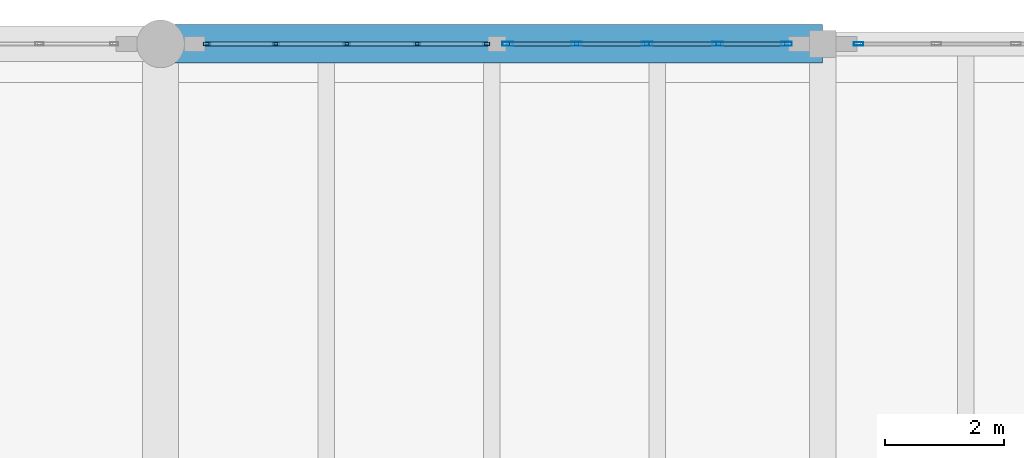
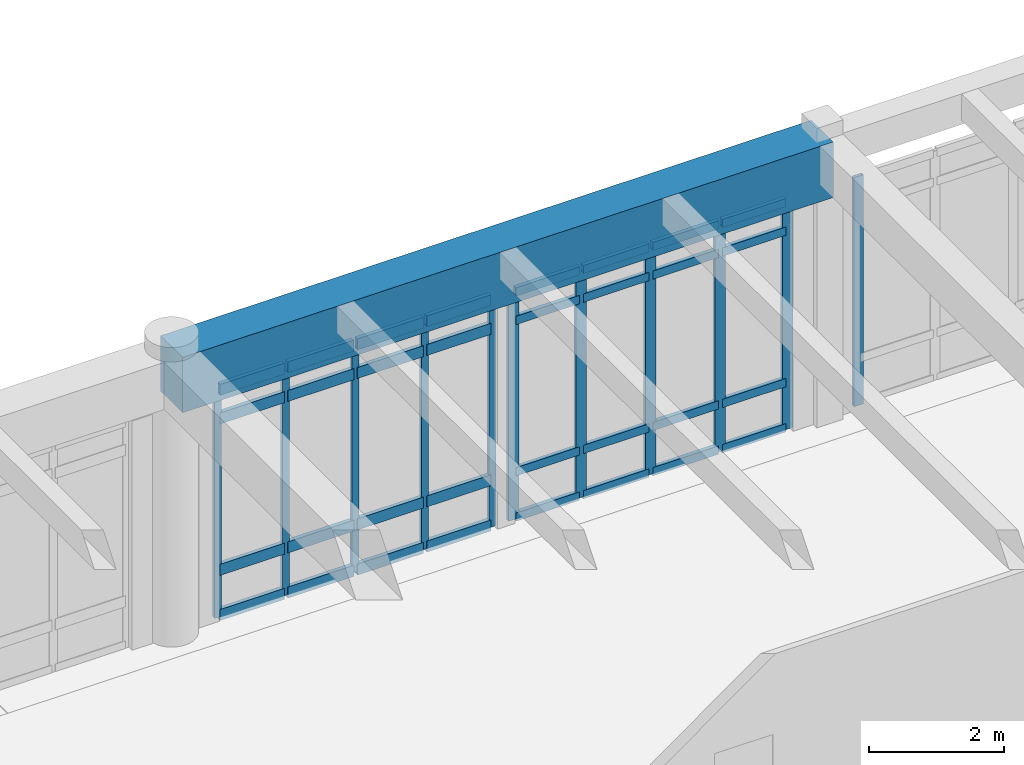
# One storey, part 63 of 138: 43 members, 1 beam, 3 elements without a shape of their own.
"""IFC4 building model written with IfcOpenShell, lengths in metres."""

from ifc_helpers import new_model, si_unit, direction, frame, origin, origin_2d, place, context, subcontext, project, spatial, rectangle, hollow_rectangle, extrude, material, layer, layer_set, material_profile, profile_set, type_object, element, aggregate, save


model = new_model("IFC4")

# Units and contexts
model_context = context("Model", 3, precision=1e-05, world=origin(), true_north=direction((0.0, 1.0)))
body_context = subcontext(model_context, "Body", "Model", "MODEL_VIEW")
ifc_project = project(units=[si_unit("LENGTHUNIT", "METRE"), si_unit("AREAUNIT", "SQUARE_METRE"), si_unit("VOLUMEUNIT", "CUBIC_METRE"), si_unit("PLANEANGLEUNIT", "RADIAN"), si_unit("MASSUNIT", "GRAM", prefix="KILO")], contexts=[model_context])

# Site, building, storey
site_placement = place(None, origin())
site = spatial("IfcSite", under=ifc_project, at=site_placement, CompositionType="ELEMENT")
building_placement = place(site_placement, origin())
building = spatial("IfcBuilding", under=site, at=building_placement, Name="Fikremerkos Civic Library", CompositionType="ELEMENT")
storey_placement = place(building_placement, origin())
storey = spatial("IfcBuildingStorey", under=building, at=storey_placement, Name="L00", CompositionType="ELEMENT", Elevation=0.0)

# Curtain wall, members
ifc_material_1 = material(Name="Anodized aluminium Frame", Category="aluminium")
ifc_layer_1 = layer(ifc_material_1, 0.159912109375, Name="Anodized aluminium Frame")
ifc_layer_set_1 = layer_set([ifc_layer_1], Name="Anodized aluminium Frame")
curtain_wall_type_1 = type_object("IfcCurtainWallType", Name="Unitised curtain wall CW-17 4600x3600", PredefinedType="USERDEFINED", material=ifc_layer_set_1)
curtain_wall_1_placement = place(storey_placement, origin())
curtain_wall_1 = element("IfcCurtainWall", 1, at=curtain_wall_1_placement, inside=storey, type_object=curtain_wall_type_1, Name="Unitised curtain wall CW-17 L00 #53", ObjectType="UNITISED CURTAIN WALL", PredefinedType="USERDEFINED")
ifc_material_profile_1 = material_profile(ifc_material_1, hollow_rectangle(XDim=0.06494140625, YDim=0.179931640625, WallThickness=0.00439453125, at=origin_2d()), Name="ALU 180x65x4.5")
ifc_profile_set_1 = profile_set([ifc_material_profile_1], Name="Anodized aluminium Frame")
member_type_1 = type_object("IfcMemberType", Name="Curtain mullion CWM-01 ALU 180x65x4.5", PredefinedType="MULLION", material=ifc_profile_set_1)
member_1_placement = place(storey_placement, frame((119.52001953125, 117.60009765625, 0.0), z_axis=(0.0, 0.0, 1.0), x_axis=(0.0, 1.0, 0.0)))
member_1 = element("IfcMember", 2, at=member_1_placement, type_object=member_type_1, Name="CW-17 mullion 1", PredefinedType="MULLION", context=body_context, shape_type="SweptSolid", body=[
    extrude(hollow_rectangle(XDim=0.06494140625, YDim=0.179931640625, WallThickness=0.00439453125, at=origin_2d()), origin(), (0.0, 0.0, 1.0), 4.1298828125),
])
member_2_placement = place(storey_placement, frame((120.67236328125, 117.60009765625, 0.0), z_axis=(0.0, 0.0, 1.0), x_axis=(0.0, 1.0, 0.0)))
member_2 = element("IfcMember", 3, at=member_2_placement, type_object=member_type_1, Name="CW-17 mullion 2", PredefinedType="MULLION", context=body_context, shape_type="SweptSolid", body=[
    extrude(hollow_rectangle(XDim=0.06494140625, YDim=0.179931640625, WallThickness=0.00439453125, at=origin_2d()), origin(), (0.0, 0.0, 1.0), 4.1298828125),
])
member_3_placement = place(storey_placement, frame((121.857177734375, 117.60009765625, 0.0), z_axis=(0.0, 0.0, 1.0), x_axis=(0.0, 1.0, 0.0)))
member_3 = element("IfcMember", 4, at=member_3_placement, type_object=member_type_1, Name="CW-17 mullion 3", PredefinedType="MULLION", context=body_context, shape_type="SweptSolid", body=[
    extrude(hollow_rectangle(XDim=0.06494140625, YDim=0.179931640625, WallThickness=0.00439453125, at=origin_2d()), origin(), (0.0, 0.0, 1.0), 4.1298828125),
])
member_4_placement = place(storey_placement, frame((123.042236328125, 117.60009765625, 0.0), z_axis=(0.0, 0.0, 1.0), x_axis=(0.0, 1.0, 0.0)))
member_4 = element("IfcMember", 5, at=member_4_placement, type_object=member_type_1, Name="CW-17 mullion 4", PredefinedType="MULLION", context=body_context, shape_type="SweptSolid", body=[
    extrude(hollow_rectangle(XDim=0.06494140625, YDim=0.179931640625, WallThickness=0.00439453125, at=origin_2d()), origin(), (0.0, 0.0, 1.0), 4.1298828125),
])
member_5_placement = place(storey_placement, frame((124.194580078125, 117.60009765625, 0.0), z_axis=(0.0, 0.0, 1.0), x_axis=(0.0, 1.0, 0.0)))
member_5 = element("IfcMember", 6, at=member_5_placement, type_object=member_type_1, Name="CW-17 mullion 5", PredefinedType="MULLION", context=body_context, shape_type="SweptSolid", body=[
    extrude(hollow_rectangle(XDim=0.06494140625, YDim=0.179931640625, WallThickness=0.00439453125, at=origin_2d()), origin(), (0.0, 0.0, 1.0), 4.1298828125),
])

# Curtain wall, member
ifc_layer_2 = layer(ifc_material_1, 0.159912109375, Name="Anodized aluminium Frame")
ifc_layer_set_2 = layer_set([ifc_layer_2], Name="Anodized aluminium Frame")
curtain_wall_type_2 = type_object("IfcCurtainWallType", Name="Unitised curtain wall CW-18 2700x3400", PredefinedType="USERDEFINED", material=ifc_layer_set_2)
curtain_wall_2_placement = place(storey_placement, origin())
curtain_wall_2 = element("IfcCurtainWall", 7, at=curtain_wall_2_placement, inside=storey, type_object=curtain_wall_type_2, Name="Unitised curtain wall CW-18 L00 #54", ObjectType="UNITISED CURTAIN WALL", PredefinedType="USERDEFINED")
ifc_material_profile_2 = material_profile(ifc_material_1, hollow_rectangle(XDim=0.06005859375, YDim=0.159912109375, WallThickness=0.00390625, at=origin_2d()), Name="ALU 160x60x4")
ifc_profile_set_2 = profile_set([ifc_material_profile_2], Name="Anodized aluminium Frame")
member_type_2 = type_object("IfcMemberType", Name="Curtain mullion CWM-02 ALU 160x60x4", PredefinedType="MULLION", material=ifc_profile_set_2)
member_6_placement = place(storey_placement, frame((125.403076171875, 117.60009765625, 0.0), z_axis=(0.0, 0.0, 1.0), x_axis=(0.0, 1.0, 0.0)))
member_6 = element("IfcMember", 8, at=member_6_placement, type_object=member_type_2, Name="CW-18 mullion 1", PredefinedType="MULLION", context=body_context, shape_type="SweptSolid", body=[
    extrude(hollow_rectangle(XDim=0.06005859375, YDim=0.159912109375, WallThickness=0.00390625, at=origin_2d()), origin(), (0.0, 0.0, 1.0), 4.1298828125),
])
aggregate(curtain_wall_2, [member_6])

# Curtain wall, members
ifc_layer_3 = layer(ifc_material_1, 0.159912109375, Name="Anodized aluminium Frame")
ifc_layer_set_3 = layer_set([ifc_layer_3], Name="Anodized aluminium Frame")
curtain_wall_type_3 = type_object("IfcCurtainWallType", Name="Unitised curtain wall CW-16 3100x4100", PredefinedType="USERDEFINED", material=ifc_layer_set_3)
curtain_wall_3_placement = place(storey_placement, origin())
curtain_wall_3 = element("IfcCurtainWall", 9, at=curtain_wall_3_placement, inside=storey, type_object=curtain_wall_type_3, Name="Unitised curtain wall CW-16 L00 #52", ObjectType="UNITISED CURTAIN WALL", PredefinedType="USERDEFINED")
ifc_material_profile_3 = material_profile(ifc_material_1, hollow_rectangle(XDim=0.06005859375, YDim=0.1201171875, WallThickness=0.00390625, at=origin_2d()), Name="ALU 120x60x4")
ifc_profile_set_3 = profile_set([ifc_material_profile_3], Name="Anodized aluminium Frame")
member_type_3 = type_object("IfcMemberType", Name="Curtain mullion CWM-04 ALU 120x60x4", PredefinedType="MULLION", material=ifc_profile_set_3)
member_7_placement = place(storey_placement, frame((114.47802734375, 117.60009765625, 0.0), z_axis=(0.0, 0.0, 1.0), x_axis=(0.0, 1.0, 0.0)))
member_7 = element("IfcMember", 10, at=member_7_placement, type_object=member_type_3, Name="CW-16 mullion 1", PredefinedType="MULLION", context=body_context, shape_type="SweptSolid", body=[
    extrude(hollow_rectangle(XDim=0.06005859375, YDim=0.1201171875, WallThickness=0.00390625, at=origin_2d()), origin(), (0.0, 0.0, 1.0), 4.1298828125),
])
member_8_placement = place(storey_placement, frame((115.6328125, 117.60009765625, 0.0), z_axis=(0.0, 0.0, 1.0), x_axis=(0.0, 1.0, 0.0)))
member_8 = element("IfcMember", 11, at=member_8_placement, type_object=member_type_3, Name="CW-16 mullion 2", PredefinedType="MULLION", context=body_context, shape_type="SweptSolid", body=[
    extrude(hollow_rectangle(XDim=0.06005859375, YDim=0.1201171875, WallThickness=0.00390625, at=origin_2d()), origin(), (0.0, 0.0, 1.0), 4.1298828125),
])
member_9_placement = place(storey_placement, frame((116.81787109375, 117.60009765625, 0.0), z_axis=(0.0, 0.0, 1.0), x_axis=(0.0, 1.0, 0.0)))
member_9 = element("IfcMember", 12, at=member_9_placement, type_object=member_type_3, Name="CW-16 mullion 3", PredefinedType="MULLION", context=body_context, shape_type="SweptSolid", body=[
    extrude(hollow_rectangle(XDim=0.06005859375, YDim=0.1201171875, WallThickness=0.00390625, at=origin_2d()), origin(), (0.0, 0.0, 1.0), 4.1298828125),
])
member_10_placement = place(storey_placement, frame((118.002685546875, 117.60009765625, 0.0), z_axis=(0.0, 0.0, 1.0), x_axis=(0.0, 1.0, 0.0)))
member_10 = element("IfcMember", 13, at=member_10_placement, type_object=member_type_3, Name="CW-16 mullion 4", PredefinedType="MULLION", context=body_context, shape_type="SweptSolid", body=[
    extrude(hollow_rectangle(XDim=0.06005859375, YDim=0.1201171875, WallThickness=0.00390625, at=origin_2d()), origin(), (0.0, 0.0, 1.0), 4.1298828125),
])
member_11_placement = place(storey_placement, frame((119.157470703125, 117.60009765625, 0.0), z_axis=(0.0, 0.0, 1.0), x_axis=(0.0, 1.0, 0.0)))
member_11 = element("IfcMember", 14, at=member_11_placement, type_object=member_type_3, Name="CW-16 mullion 5", PredefinedType="MULLION", context=body_context, shape_type="SweptSolid", body=[
    extrude(hollow_rectangle(XDim=0.06005859375, YDim=0.1201171875, WallThickness=0.00390625, at=origin_2d()), origin(), (0.0, 0.0, 1.0), 4.1298828125),
])

# Member
ifc_material_profile_4 = material_profile(ifc_material_1, hollow_rectangle(XDim=0.070068359375, YDim=0.14990234375, WallThickness=0.00439453125, at=origin_2d()), Name="ALU 150x70x4.5")
ifc_profile_set_4 = profile_set([ifc_material_profile_4], Name="Anodized aluminium Frame")
member_type_4 = type_object("IfcMemberType", Name="Curtain transom CWT-01 ALU 150x70x4.5", PredefinedType="USERDEFINED", material=ifc_profile_set_4)
member_12_placement = place(storey_placement, frame((119.552490234375, 117.60009765625, 0.034912109375), z_axis=(1.0, 0.0, 0.0), x_axis=(0.0, 1.0, 0.0)))
member_12 = element("IfcMember", 15, at=member_12_placement, type_object=member_type_4, Name="CW-17 transom 1.1", ObjectType="TRANSOM", PredefinedType="USERDEFINED", context=body_context, shape_type="SweptSolid", body=[
    extrude(hollow_rectangle(XDim=0.070068359375, YDim=0.14990234375, WallThickness=0.00439453125, at=origin_2d()), origin(), (0.0, 0.0, 1.0), 1.08740234375),
])

member_13_placement = place(storey_placement, frame((119.552490234375, 117.60009765625, 0.85009765625), z_axis=(1.0, 0.0, 0.0), x_axis=(0.0, 1.0, 0.0)))
member_13 = element("IfcMember", 16, at=member_13_placement, type_object=member_type_4, Name="CW-17 transom 1.2", ObjectType="TRANSOM", PredefinedType="USERDEFINED", context=body_context, shape_type="SweptSolid", body=[
    extrude(hollow_rectangle(XDim=0.070068359375, YDim=0.14990234375, WallThickness=0.00439453125, at=origin_2d()), origin(), (0.0, 0.0, 1.0), 1.08740234375),
])

member_14_placement = place(storey_placement, frame((119.552490234375, 117.60009765625, 3.580078125), z_axis=(1.0, 0.0, 0.0), x_axis=(0.0, 1.0, 0.0)))
member_14 = element("IfcMember", 17, at=member_14_placement, type_object=member_type_4, Name="CW-17 transom 1.3", ObjectType="TRANSOM", PredefinedType="USERDEFINED", context=body_context, shape_type="SweptSolid", body=[
    extrude(hollow_rectangle(XDim=0.070068359375, YDim=0.14990234375, WallThickness=0.00439453125, at=origin_2d()), origin(), (0.0, 0.0, 1.0), 1.08740234375),
])

member_15_placement = place(storey_placement, frame((119.552490234375, 117.60009765625, 4.094970703125), z_axis=(1.0, 0.0, 0.0), x_axis=(0.0, 1.0, 0.0)))
member_15 = element("IfcMember", 18, at=member_15_placement, type_object=member_type_4, Name="CW-17 transom 1.4", ObjectType="TRANSOM", PredefinedType="USERDEFINED", context=body_context, shape_type="SweptSolid", body=[
    extrude(hollow_rectangle(XDim=0.070068359375, YDim=0.14990234375, WallThickness=0.00439453125, at=origin_2d()), origin(), (0.0, 0.0, 1.0), 1.08740234375),
])

member_16_placement = place(storey_placement, frame((120.704833984375, 117.60009765625, 0.034912109375), z_axis=(1.0, 0.0, 0.0), x_axis=(0.0, 1.0, 0.0)))
member_16 = element("IfcMember", 19, at=member_16_placement, type_object=member_type_4, Name="CW-17 transom 2.1", ObjectType="TRANSOM", PredefinedType="USERDEFINED", context=body_context, shape_type="SweptSolid", body=[
    extrude(hollow_rectangle(XDim=0.070068359375, YDim=0.14990234375, WallThickness=0.00439453125, at=origin_2d()), origin(), (0.0, 0.0, 1.0), 1.119873046875),
])

member_17_placement = place(storey_placement, frame((120.704833984375, 117.60009765625, 0.85009765625), z_axis=(1.0, 0.0, 0.0), x_axis=(0.0, 1.0, 0.0)))
member_17 = element("IfcMember", 20, at=member_17_placement, type_object=member_type_4, Name="CW-17 transom 2.2", ObjectType="TRANSOM", PredefinedType="USERDEFINED", context=body_context, shape_type="SweptSolid", body=[
    extrude(hollow_rectangle(XDim=0.070068359375, YDim=0.14990234375, WallThickness=0.00439453125, at=origin_2d()), origin(), (0.0, 0.0, 1.0), 1.119873046875),
])

member_18_placement = place(storey_placement, frame((120.704833984375, 117.60009765625, 3.580078125), z_axis=(1.0, 0.0, 0.0), x_axis=(0.0, 1.0, 0.0)))
member_18 = element("IfcMember", 21, at=member_18_placement, type_object=member_type_4, Name="CW-17 transom 2.3", ObjectType="TRANSOM", PredefinedType="USERDEFINED", context=body_context, shape_type="SweptSolid", body=[
    extrude(hollow_rectangle(XDim=0.070068359375, YDim=0.14990234375, WallThickness=0.00439453125, at=origin_2d()), origin(), (0.0, 0.0, 1.0), 1.119873046875),
])

member_19_placement = place(storey_placement, frame((120.704833984375, 117.60009765625, 4.094970703125), z_axis=(1.0, 0.0, 0.0), x_axis=(0.0, 1.0, 0.0)))
member_19 = element("IfcMember", 22, at=member_19_placement, type_object=member_type_4, Name="CW-17 transom 2.4", ObjectType="TRANSOM", PredefinedType="USERDEFINED", context=body_context, shape_type="SweptSolid", body=[
    extrude(hollow_rectangle(XDim=0.070068359375, YDim=0.14990234375, WallThickness=0.00439453125, at=origin_2d()), origin(), (0.0, 0.0, 1.0), 1.119873046875),
])

member_20_placement = place(storey_placement, frame((121.8896484375, 117.60009765625, 0.034912109375), z_axis=(1.0, 0.0, 0.0), x_axis=(0.0, 1.0, 0.0)))
member_20 = element("IfcMember", 23, at=member_20_placement, type_object=member_type_4, Name="CW-17 transom 3.1", ObjectType="TRANSOM", PredefinedType="USERDEFINED", context=body_context, shape_type="SweptSolid", body=[
    extrude(hollow_rectangle(XDim=0.070068359375, YDim=0.14990234375, WallThickness=0.00439453125, at=origin_2d()), origin(), (0.0, 0.0, 1.0), 1.119873046875),
])

member_21_placement = place(storey_placement, frame((121.8896484375, 117.60009765625, 0.85009765625), z_axis=(1.0, 0.0, 0.0), x_axis=(0.0, 1.0, 0.0)))
member_21 = element("IfcMember", 24, at=member_21_placement, type_object=member_type_4, Name="CW-17 transom 3.2", ObjectType="TRANSOM", PredefinedType="USERDEFINED", context=body_context, shape_type="SweptSolid", body=[
    extrude(hollow_rectangle(XDim=0.070068359375, YDim=0.14990234375, WallThickness=0.00439453125, at=origin_2d()), origin(), (0.0, 0.0, 1.0), 1.119873046875),
])

member_22_placement = place(storey_placement, frame((121.8896484375, 117.60009765625, 3.580078125), z_axis=(1.0, 0.0, 0.0), x_axis=(0.0, 1.0, 0.0)))
member_22 = element("IfcMember", 25, at=member_22_placement, type_object=member_type_4, Name="CW-17 transom 3.3", ObjectType="TRANSOM", PredefinedType="USERDEFINED", context=body_context, shape_type="SweptSolid", body=[
    extrude(hollow_rectangle(XDim=0.070068359375, YDim=0.14990234375, WallThickness=0.00439453125, at=origin_2d()), origin(), (0.0, 0.0, 1.0), 1.119873046875),
])

member_23_placement = place(storey_placement, frame((121.8896484375, 117.60009765625, 4.094970703125), z_axis=(1.0, 0.0, 0.0), x_axis=(0.0, 1.0, 0.0)))
member_23 = element("IfcMember", 26, at=member_23_placement, type_object=member_type_4, Name="CW-17 transom 3.4", ObjectType="TRANSOM", PredefinedType="USERDEFINED", context=body_context, shape_type="SweptSolid", body=[
    extrude(hollow_rectangle(XDim=0.070068359375, YDim=0.14990234375, WallThickness=0.00439453125, at=origin_2d()), origin(), (0.0, 0.0, 1.0), 1.119873046875),
])

member_24_placement = place(storey_placement, frame((123.07470703125, 117.60009765625, 0.034912109375), z_axis=(1.0, 0.0, 0.0), x_axis=(0.0, 1.0, 0.0)))
member_24 = element("IfcMember", 27, at=member_24_placement, type_object=member_type_4, Name="CW-17 transom 4.1", ObjectType="TRANSOM", PredefinedType="USERDEFINED", context=body_context, shape_type="SweptSolid", body=[
    extrude(hollow_rectangle(XDim=0.070068359375, YDim=0.14990234375, WallThickness=0.00439453125, at=origin_2d()), origin(), (0.0, 0.0, 1.0), 1.08740234375),
])

member_25_placement = place(storey_placement, frame((123.07470703125, 117.60009765625, 0.85009765625), z_axis=(1.0, 0.0, 0.0), x_axis=(0.0, 1.0, 0.0)))
member_25 = element("IfcMember", 28, at=member_25_placement, type_object=member_type_4, Name="CW-17 transom 4.2", ObjectType="TRANSOM", PredefinedType="USERDEFINED", context=body_context, shape_type="SweptSolid", body=[
    extrude(hollow_rectangle(XDim=0.070068359375, YDim=0.14990234375, WallThickness=0.00439453125, at=origin_2d()), origin(), (0.0, 0.0, 1.0), 1.08740234375),
])

member_26_placement = place(storey_placement, frame((123.07470703125, 117.60009765625, 3.580078125), z_axis=(1.0, 0.0, 0.0), x_axis=(0.0, 1.0, 0.0)))
member_26 = element("IfcMember", 29, at=member_26_placement, type_object=member_type_4, Name="CW-17 transom 4.3", ObjectType="TRANSOM", PredefinedType="USERDEFINED", context=body_context, shape_type="SweptSolid", body=[
    extrude(hollow_rectangle(XDim=0.070068359375, YDim=0.14990234375, WallThickness=0.00439453125, at=origin_2d()), origin(), (0.0, 0.0, 1.0), 1.08740234375),
])

member_27_placement = place(storey_placement, frame((123.07470703125, 117.60009765625, 4.094970703125), z_axis=(1.0, 0.0, 0.0), x_axis=(0.0, 1.0, 0.0)))
member_27 = element("IfcMember", 30, at=member_27_placement, type_object=member_type_4, Name="CW-17 transom 4.4", ObjectType="TRANSOM", PredefinedType="USERDEFINED", context=body_context, shape_type="SweptSolid", body=[
    extrude(hollow_rectangle(XDim=0.070068359375, YDim=0.14990234375, WallThickness=0.00439453125, at=origin_2d()), origin(), (0.0, 0.0, 1.0), 1.08740234375),
])

aggregate(curtain_wall_1, [member_1, member_2, member_3, member_4, member_5, member_12, member_13, member_14, member_15, member_16, member_17, member_18, member_19, member_20, member_21, member_22, member_23, member_24, member_25, member_26, member_27])

ifc_material_profile_5 = material_profile(ifc_material_1, hollow_rectangle(XDim=0.070068359375, YDim=0.199951171875, WallThickness=0.0048828125, at=origin_2d()), Name="ALU 200x70x5")
ifc_profile_set_5 = profile_set([ifc_material_profile_5], Name="Anodized aluminium Frame")
member_type_5 = type_object("IfcMemberType", Name="Curtain transom CWT-04 ALU 200x70x5", PredefinedType="USERDEFINED", material=ifc_profile_set_5)
member_28_placement = place(storey_placement, frame((114.508056640625, 117.60009765625, 0.034912109375), z_axis=(1.0, 0.0, 0.0), x_axis=(0.0, 1.0, 0.0)))
member_28 = element("IfcMember", 31, at=member_28_placement, type_object=member_type_5, Name="CW-16 transom 1.1", ObjectType="TRANSOM", PredefinedType="USERDEFINED", context=body_context, shape_type="SweptSolid", body=[
    extrude(hollow_rectangle(XDim=0.070068359375, YDim=0.199951171875, WallThickness=0.0048828125, at=origin_2d()), origin(), (0.0, 0.0, 1.0), 1.0947265625),
])

member_29_placement = place(storey_placement, frame((114.508056640625, 117.60009765625, 0.85009765625), z_axis=(1.0, 0.0, 0.0), x_axis=(0.0, 1.0, 0.0)))
member_29 = element("IfcMember", 32, at=member_29_placement, type_object=member_type_5, Name="CW-16 transom 1.2", ObjectType="TRANSOM", PredefinedType="USERDEFINED", context=body_context, shape_type="SweptSolid", body=[
    extrude(hollow_rectangle(XDim=0.070068359375, YDim=0.199951171875, WallThickness=0.0048828125, at=origin_2d()), origin(), (0.0, 0.0, 1.0), 1.0947265625),
])

member_30_placement = place(storey_placement, frame((114.508056640625, 117.60009765625, 3.580078125), z_axis=(1.0, 0.0, 0.0), x_axis=(0.0, 1.0, 0.0)))
member_30 = element("IfcMember", 33, at=member_30_placement, type_object=member_type_5, Name="CW-16 transom 1.3", ObjectType="TRANSOM", PredefinedType="USERDEFINED", context=body_context, shape_type="SweptSolid", body=[
    extrude(hollow_rectangle(XDim=0.070068359375, YDim=0.199951171875, WallThickness=0.0048828125, at=origin_2d()), origin(), (0.0, 0.0, 1.0), 1.0947265625),
])

member_31_placement = place(storey_placement, frame((114.508056640625, 117.60009765625, 4.094970703125), z_axis=(1.0, 0.0, 0.0), x_axis=(0.0, 1.0, 0.0)))
member_31 = element("IfcMember", 34, at=member_31_placement, type_object=member_type_5, Name="CW-16 transom 1.4", ObjectType="TRANSOM", PredefinedType="USERDEFINED", context=body_context, shape_type="SweptSolid", body=[
    extrude(hollow_rectangle(XDim=0.070068359375, YDim=0.199951171875, WallThickness=0.0048828125, at=origin_2d()), origin(), (0.0, 0.0, 1.0), 1.0947265625),
])

member_32_placement = place(storey_placement, frame((115.662841796875, 117.60009765625, 0.034912109375), z_axis=(1.0, 0.0, 0.0), x_axis=(0.0, 1.0, 0.0)))
member_32 = element("IfcMember", 35, at=member_32_placement, type_object=member_type_5, Name="CW-16 transom 2.1", ObjectType="TRANSOM", PredefinedType="USERDEFINED", context=body_context, shape_type="SweptSolid", body=[
    extrude(hollow_rectangle(XDim=0.070068359375, YDim=0.199951171875, WallThickness=0.0048828125, at=origin_2d()), origin(), (0.0, 0.0, 1.0), 1.125),
])

member_33_placement = place(storey_placement, frame((115.662841796875, 117.60009765625, 0.85009765625), z_axis=(1.0, 0.0, 0.0), x_axis=(0.0, 1.0, 0.0)))
member_33 = element("IfcMember", 36, at=member_33_placement, type_object=member_type_5, Name="CW-16 transom 2.2", ObjectType="TRANSOM", PredefinedType="USERDEFINED", context=body_context, shape_type="SweptSolid", body=[
    extrude(hollow_rectangle(XDim=0.070068359375, YDim=0.199951171875, WallThickness=0.0048828125, at=origin_2d()), origin(), (0.0, 0.0, 1.0), 1.125),
])

member_34_placement = place(storey_placement, frame((115.662841796875, 117.60009765625, 3.580078125), z_axis=(1.0, 0.0, 0.0), x_axis=(0.0, 1.0, 0.0)))
member_34 = element("IfcMember", 37, at=member_34_placement, type_object=member_type_5, Name="CW-16 transom 2.3", ObjectType="TRANSOM", PredefinedType="USERDEFINED", context=body_context, shape_type="SweptSolid", body=[
    extrude(hollow_rectangle(XDim=0.070068359375, YDim=0.199951171875, WallThickness=0.0048828125, at=origin_2d()), origin(), (0.0, 0.0, 1.0), 1.125),
])

member_35_placement = place(storey_placement, frame((115.662841796875, 117.60009765625, 4.094970703125), z_axis=(1.0, 0.0, 0.0), x_axis=(0.0, 1.0, 0.0)))
member_35 = element("IfcMember", 38, at=member_35_placement, type_object=member_type_5, Name="CW-16 transom 2.4", ObjectType="TRANSOM", PredefinedType="USERDEFINED", context=body_context, shape_type="SweptSolid", body=[
    extrude(hollow_rectangle(XDim=0.070068359375, YDim=0.199951171875, WallThickness=0.0048828125, at=origin_2d()), origin(), (0.0, 0.0, 1.0), 1.125),
])

member_36_placement = place(storey_placement, frame((116.84765625, 117.60009765625, 0.034912109375), z_axis=(1.0, 0.0, 0.0), x_axis=(0.0, 1.0, 0.0)))
member_36 = element("IfcMember", 39, at=member_36_placement, type_object=member_type_5, Name="CW-16 transom 3.1", ObjectType="TRANSOM", PredefinedType="USERDEFINED", context=body_context, shape_type="SweptSolid", body=[
    extrude(hollow_rectangle(XDim=0.070068359375, YDim=0.199951171875, WallThickness=0.0048828125, at=origin_2d()), origin(), (0.0, 0.0, 1.0), 1.125),
])

member_37_placement = place(storey_placement, frame((116.84765625, 117.60009765625, 0.85009765625), z_axis=(1.0, 0.0, 0.0), x_axis=(0.0, 1.0, 0.0)))
member_37 = element("IfcMember", 40, at=member_37_placement, type_object=member_type_5, Name="CW-16 transom 3.2", ObjectType="TRANSOM", PredefinedType="USERDEFINED", context=body_context, shape_type="SweptSolid", body=[
    extrude(hollow_rectangle(XDim=0.070068359375, YDim=0.199951171875, WallThickness=0.0048828125, at=origin_2d()), origin(), (0.0, 0.0, 1.0), 1.125),
])

member_38_placement = place(storey_placement, frame((116.84765625, 117.60009765625, 3.580078125), z_axis=(1.0, 0.0, 0.0), x_axis=(0.0, 1.0, 0.0)))
member_38 = element("IfcMember", 41, at=member_38_placement, type_object=member_type_5, Name="CW-16 transom 3.3", ObjectType="TRANSOM", PredefinedType="USERDEFINED", context=body_context, shape_type="SweptSolid", body=[
    extrude(hollow_rectangle(XDim=0.070068359375, YDim=0.199951171875, WallThickness=0.0048828125, at=origin_2d()), origin(), (0.0, 0.0, 1.0), 1.125),
])

member_39_placement = place(storey_placement, frame((116.84765625, 117.60009765625, 4.094970703125), z_axis=(1.0, 0.0, 0.0), x_axis=(0.0, 1.0, 0.0)))
member_39 = element("IfcMember", 42, at=member_39_placement, type_object=member_type_5, Name="CW-16 transom 3.4", ObjectType="TRANSOM", PredefinedType="USERDEFINED", context=body_context, shape_type="SweptSolid", body=[
    extrude(hollow_rectangle(XDim=0.070068359375, YDim=0.199951171875, WallThickness=0.0048828125, at=origin_2d()), origin(), (0.0, 0.0, 1.0), 1.125),
])

member_40_placement = place(storey_placement, frame((118.03271484375, 117.60009765625, 0.034912109375), z_axis=(1.0, 0.0, 0.0), x_axis=(0.0, 1.0, 0.0)))
member_40 = element("IfcMember", 43, at=member_40_placement, type_object=member_type_5, Name="CW-16 transom 4.1", ObjectType="TRANSOM", PredefinedType="USERDEFINED", context=body_context, shape_type="SweptSolid", body=[
    extrude(hollow_rectangle(XDim=0.070068359375, YDim=0.199951171875, WallThickness=0.0048828125, at=origin_2d()), origin(), (0.0, 0.0, 1.0), 1.0947265625),
])

member_41_placement = place(storey_placement, frame((118.03271484375, 117.60009765625, 0.85009765625), z_axis=(1.0, 0.0, 0.0), x_axis=(0.0, 1.0, 0.0)))
member_41 = element("IfcMember", 44, at=member_41_placement, type_object=member_type_5, Name="CW-16 transom 4.2", ObjectType="TRANSOM", PredefinedType="USERDEFINED", context=body_context, shape_type="SweptSolid", body=[
    extrude(hollow_rectangle(XDim=0.070068359375, YDim=0.199951171875, WallThickness=0.0048828125, at=origin_2d()), origin(), (0.0, 0.0, 1.0), 1.0947265625),
])

member_42_placement = place(storey_placement, frame((118.03271484375, 117.60009765625, 3.580078125), z_axis=(1.0, 0.0, 0.0), x_axis=(0.0, 1.0, 0.0)))
member_42 = element("IfcMember", 45, at=member_42_placement, type_object=member_type_5, Name="CW-16 transom 4.3", ObjectType="TRANSOM", PredefinedType="USERDEFINED", context=body_context, shape_type="SweptSolid", body=[
    extrude(hollow_rectangle(XDim=0.070068359375, YDim=0.199951171875, WallThickness=0.0048828125, at=origin_2d()), origin(), (0.0, 0.0, 1.0), 1.0947265625),
])

member_43_placement = place(storey_placement, frame((118.03271484375, 117.60009765625, 4.094970703125), z_axis=(1.0, 0.0, 0.0), x_axis=(0.0, 1.0, 0.0)))
member_43 = element("IfcMember", 46, at=member_43_placement, type_object=member_type_5, Name="CW-16 transom 4.4", ObjectType="TRANSOM", PredefinedType="USERDEFINED", context=body_context, shape_type="SweptSolid", body=[
    extrude(hollow_rectangle(XDim=0.070068359375, YDim=0.199951171875, WallThickness=0.0048828125, at=origin_2d()), origin(), (0.0, 0.0, 1.0), 1.0947265625),
])

aggregate(curtain_wall_3, [member_7, member_8, member_9, member_10, member_11, member_28, member_29, member_30, member_31, member_32, member_33, member_34, member_35, member_36, member_37, member_38, member_39, member_40, member_41, member_42, member_43])

# Beam
ifc_material_2 = material(Name="Concrete C45/55", Category="concrete")
ifc_material_profile_6 = material_profile(ifc_material_2, rectangle(XDim=0.64990234375, YDim=1.0, at=origin_2d()), Name="RC 650x1000")
ifc_profile_set_6 = profile_set([ifc_material_profile_6], Name="Concrete C45/55")
beam_type = type_object("IfcBeamType", Name="Primary girder BM-25 RC 650x1000", PredefinedType="BEAM", material=ifc_profile_set_6)
beam_placement = place(storey_placement, frame((113.699951171875, 117.60009765625, 4.639892578125), z_axis=(1.0, 0.0, 0.0), x_axis=(0.0, 1.0, 0.0)))
element("IfcBeam", 47, at=beam_placement, inside=storey, type_object=beam_type, Name="Primary girder BM-25 L00 grid N", PredefinedType="BEAM", context=body_context, shape_type="SweptSolid", body=[
    extrude(rectangle(XDim=0.64990234375, YDim=1.0, at=origin_2d()), origin(), (0.0, 0.0, 1.0), 11.10009765625),
])

save(model, "model.ifc")
